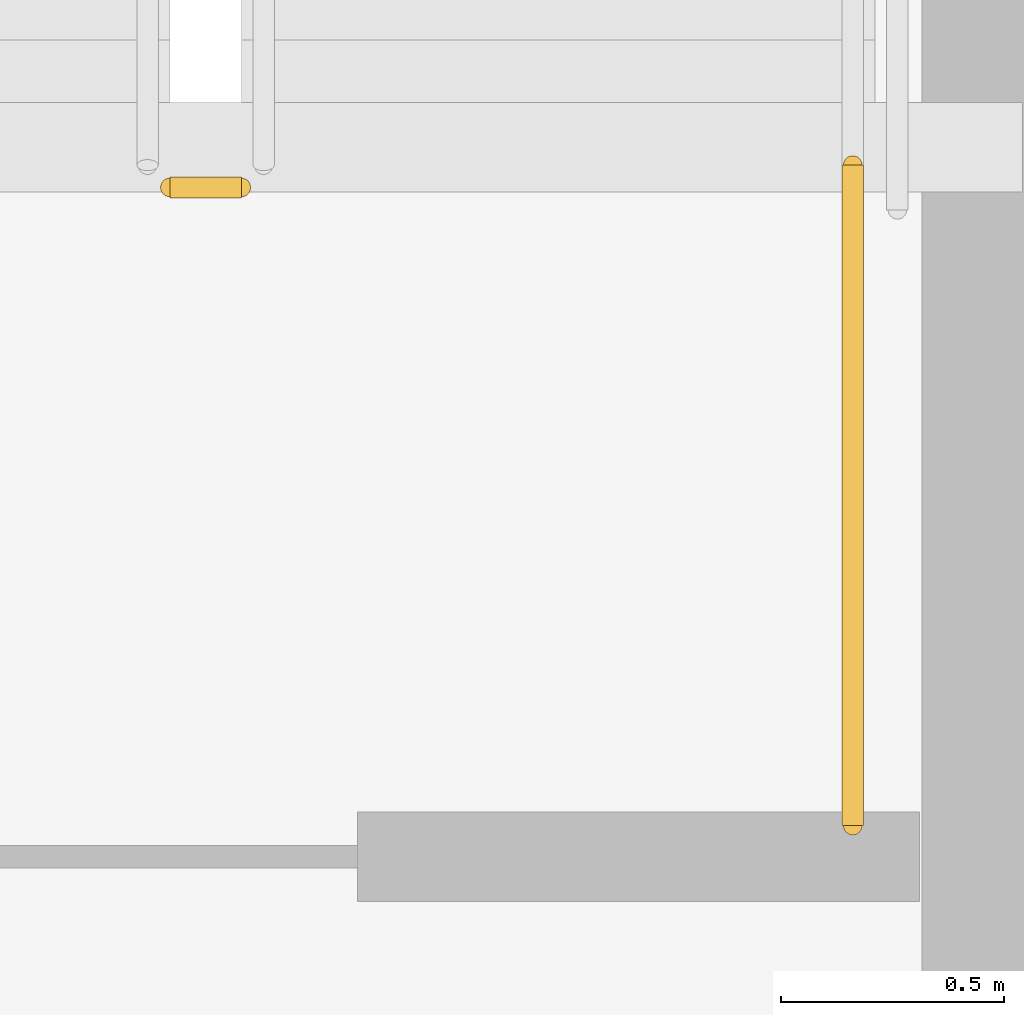
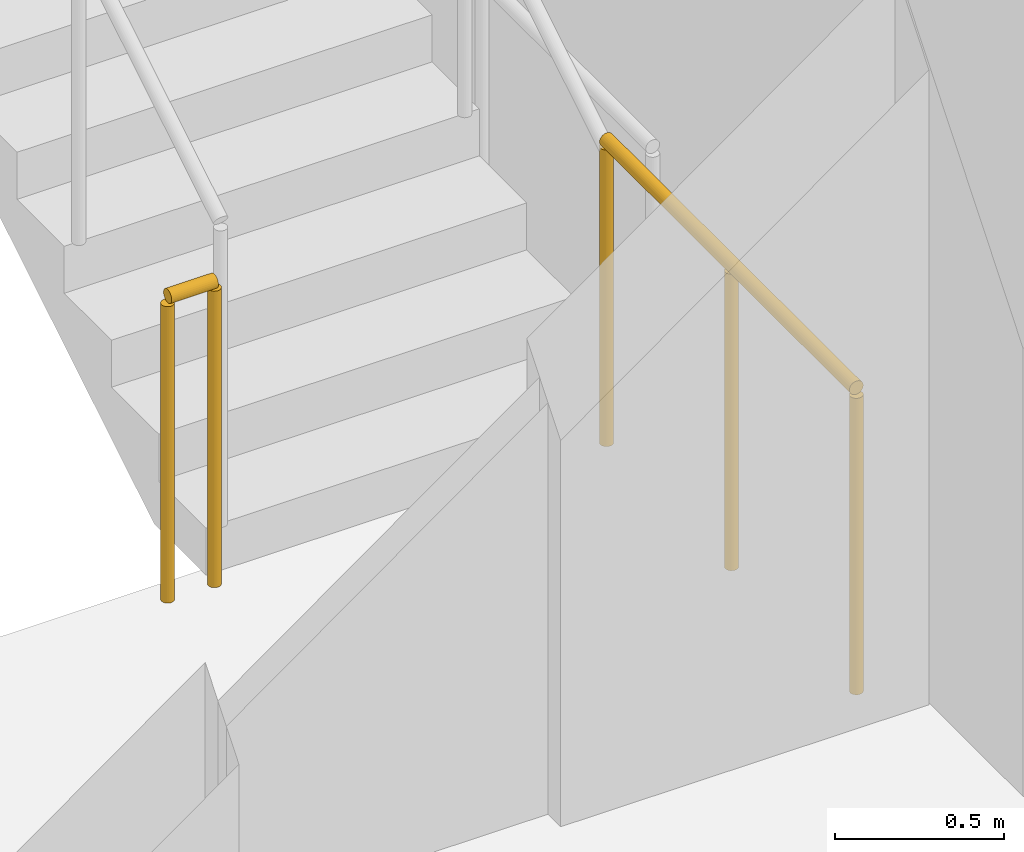
# One storey, part 28 of 32: 2 railings.
"""IFC4 building model written with IfcOpenShell, lengths in metres."""

from ifc_helpers import new_model, si_unit, direction, frame, origin, origin_2d, place, context, subcontext, project, spatial, circle, extrude, material, layer, layer_set, type_object, element, save


model = new_model("IFC4")

# Units and contexts
model_context = context("Model", 3, precision=1e-05, world=origin(), true_north=direction((0.0, 1.0)))
body_context = subcontext(model_context, "Body", "Model", "MODEL_VIEW")
ifc_project = project(units=[si_unit("LENGTHUNIT", "METRE"), si_unit("AREAUNIT", "SQUARE_METRE"), si_unit("VOLUMEUNIT", "CUBIC_METRE"), si_unit("PLANEANGLEUNIT", "RADIAN"), si_unit("MASSUNIT", "GRAM", prefix="KILO")], contexts=[model_context])

# Site, building, storey
site_placement = place(None, origin())
site = spatial("IfcSite", under=ifc_project, at=site_placement, CompositionType="ELEMENT")
building_placement = place(site_placement, origin())
building = spatial("IfcBuilding", under=site, at=building_placement, Name="Yelkora Congress Tower", CompositionType="ELEMENT")
storey_placement = place(building_placement, frame((0.0, 0.0, 103.300048828125)))
storey = spatial("IfcBuildingStorey", under=building, at=storey_placement, Name="L27", CompositionType="ELEMENT", Elevation=103.300048828125)

# Railings
ifc_material = material(Name="Painted galvanised steel stair well guard with vertical infill", Category="steel")
ifc_layer = layer(ifc_material, 0.06005859375)
ifc_layer_set = layer_set([ifc_layer], Name="Painted galvanised steel stair well guard with vertical infill")
railing_type = type_object("IfcRailingType", Name="RAIL-STAIR-GUARD-1120", PredefinedType="GUARDRAIL", material=ifc_layer_set)
railing_1_placement = place(storey_placement, frame((25.39990234375, 39.550048828125, 0.0)))
element("IfcRailing", 1, at=railing_1_placement, inside=storey, type_object=railing_type, Name="ST-01 L27 Stair Well Guardrail 7", PredefinedType="GUARDRAIL", context=body_context, shape_type="SweptSolid", body=[
    extrude(circle(Radius=0.02392578125, at=origin_2d()), frame((0.0, 0.0, 1.09619140625), z_axis=(-1.0, 0.0, 0.0), x_axis=(0.0, -1.0, 0.0)), (0.0, 0.0, 1.0), 0.159912109375),
    extrude(circle(Radius=0.02099609375, at=origin_2d()), origin(), (0.0, 0.0, 1.0), 1.072021484375),
    extrude(circle(Radius=0.02099609375, at=origin_2d()), frame((-0.159912109375, 0.0, 0.0)), (0.0, 0.0, 1.0), 1.072021484375),
])
railing_2_placement = place(storey_placement, frame((26.77001953125, 38.1201171875, 0.0)))
element("IfcRailing", 2, at=railing_2_placement, inside=storey, type_object=railing_type, Name="ST-01 L27 Stair Well Guardrail 8", PredefinedType="GUARDRAIL", context=body_context, shape_type="SweptSolid", body=[
    extrude(circle(Radius=0.02392578125, at=origin_2d()), frame((0.0, 0.0, 1.09619140625), z_axis=(0.0, 1.0, 0.0), x_axis=(-1.0, 0.0, 0.0)), (0.0, 0.0, 1.0), 1.47998046875),
    extrude(circle(Radius=0.02099609375, at=origin_2d()), origin(), (0.0, 0.0, 1.0), 1.072021484375),
    extrude(circle(Radius=0.02099609375, at=origin_2d()), frame((0.0, 0.739990234375, 0.0)), (0.0, 0.0, 1.0), 1.072021484375),
    extrude(circle(Radius=0.02099609375, at=origin_2d()), frame((0.0, 1.47998046875, 0.0)), (0.0, 0.0, 1.0), 1.072021484375),
])

save(model, "model.ifc")
